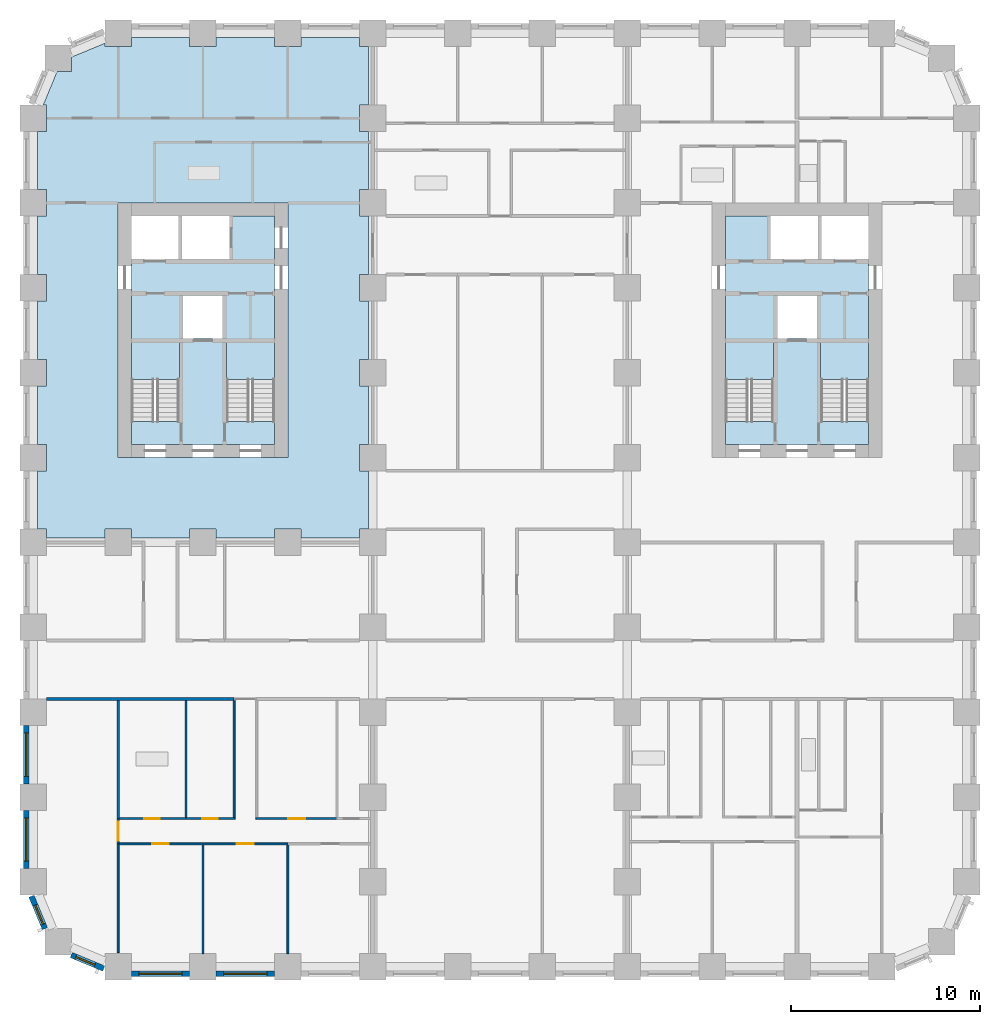
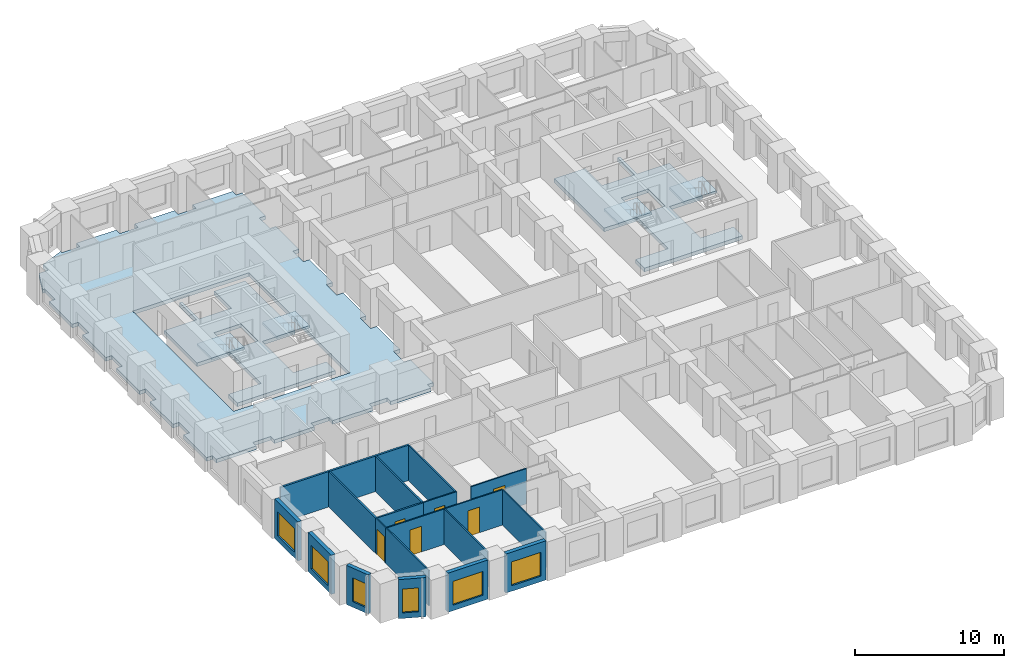
# One storey, part 2 of 13: 19 walls, 7 slabs, 6 doors, 6 windows, 12 openings, 4 elements without a shape of their own.
"""IFC4 building model written with IfcOpenShell, lengths in metres."""

from ifc_helpers import new_model, si_unit, direction, frame, frame_2d, origin, place, context, subcontext, project, spatial, polyline, rectangle, outline, extrude, material, layer, layer_set, type_object, element, fill, aggregate, save


model = new_model("IFC4")

# Units and contexts
model_context = context("Model", 3, precision=1e-05, world=origin(), true_north=direction((0.0, 1.0)))
body_context = subcontext(model_context, "Body", "Model", "MODEL_VIEW")
ifc_project = project(units=[si_unit("LENGTHUNIT", "METRE"), si_unit("AREAUNIT", "SQUARE_METRE"), si_unit("VOLUMEUNIT", "CUBIC_METRE"), si_unit("PLANEANGLEUNIT", "RADIAN"), si_unit("MASSUNIT", "GRAM", prefix="KILO")], contexts=[model_context])

# Site, building, storey
site_placement = place(None, origin())
site = spatial("IfcSite", under=ifc_project, at=site_placement, CompositionType="ELEMENT")
building_placement = place(site_placement, origin())
building = spatial("IfcBuilding", under=site, at=building_placement, Name="Girih Gate Residences", CompositionType="ELEMENT")
storey_placement = place(building_placement, frame((0.0, 0.0, 52.800048828125)))
storey = spatial("IfcBuildingStorey", under=building, at=storey_placement, Name="L13", CompositionType="ELEMENT", Elevation=52.800048828125)

# Slabs
ifc_material_1 = material(Name="Concrete C40/50", Category="concrete")
ifc_layer_1 = layer(ifc_material_1, 0.300048828125)
ifc_layer_set_1 = layer_set([ifc_layer_1], Name="Core floor slab 300")
slab_type_1 = type_object("IfcSlabType", Name="Core floor slab 300", PredefinedType="FLOOR", material=ifc_layer_set_1)
slab_1_placement = place(storey_placement, frame((0.0, 0.0, -0.300048828125)))
element("IfcSlab", 1, at=slab_1_placement, inside=storey, type_object=slab_type_1, Name="L13 W core floor", PredefinedType="FLOOR", context=body_context, shape_type="SweptSolid", body=[
    extrude(outline(polyline([(12.800048828125, 27.699951171875), (5.199951171875, 27.699951171875), (5.199951171875, 28.900634765625), (7.75, 28.900634765625), (7.75, 33.10009765625), (5.199951171875, 33.10009765625), (5.199951171875, 37.5), (7.699951171875, 37.5), (7.699951171875, 39.800048828125), (7.89990234375, 39.800048828125), (7.89990234375, 37.5), (10.39990234375, 37.5), (10.39990234375, 39.800048828125), (12.800048828125, 39.800048828125), (12.800048828125, 33.10009765625), (10.25, 33.10009765625), (10.25, 28.900634765625), (12.800048828125, 28.900634765625), (12.800048828125, 27.699951171875)]), holes=[polyline([(7.949951171875, 33.300048828125), (10.050048828125, 33.300048828125), (10.050048828125, 35.60009765625), (7.949951171875, 35.60009765625), (7.949951171875, 33.300048828125)])]), origin(), (0.0, 0.0, 1.0), 0.300048828125),
])
slab_2_placement = place(storey_placement, frame((0.0, 0.0, -0.300048828125)))
element("IfcSlab", 2, at=slab_2_placement, inside=storey, type_object=slab_type_1, Name="L13 E core floor", PredefinedType="FLOOR", context=body_context, shape_type="SweptSolid", body=[
    extrude(outline(polyline([(44.300048828125, 27.699951171875), (36.699951171875, 27.699951171875), (36.699951171875, 28.900634765625), (39.25, 28.900634765625), (39.25, 33.10009765625), (36.699951171875, 33.10009765625), (36.699951171875, 39.800048828125), (39.10009765625, 39.800048828125), (39.10009765625, 37.5), (41.60009765625, 37.5), (41.60009765625, 39.800048828125), (41.800048828125, 39.800048828125), (41.800048828125, 37.5), (44.300048828125, 37.5), (44.300048828125, 33.10009765625), (41.75, 33.10009765625), (41.75, 28.900634765625), (44.300048828125, 28.900634765625), (44.300048828125, 27.699951171875)]), holes=[polyline([(39.449951171875, 33.300048828125), (41.550048828125, 33.300048828125), (41.550048828125, 35.60009765625), (39.449951171875, 35.60009765625), (39.449951171875, 33.300048828125)])]), origin(), (0.0, 0.0, 1.0), 0.300048828125),
])
ifc_layer_2 = layer(ifc_material_1, 0.300048828125)
ifc_layer_set_2 = layer_set([ifc_layer_2], Name="Floor slab PT 300 Concrete C40/50")
slab_type_2 = type_object("IfcSlabType", Name="Floor slab PT 300 Concrete C40/50", PredefinedType="FLOOR", material=ifc_layer_set_2)
slab_3_placement = place(storey_placement, frame((0.0, 0.0, -0.300048828125)))
element("IfcSlab", 3, at=slab_3_placement, inside=storey, type_object=slab_type_2, Name="Floor slab L13 3", PredefinedType="FLOOR", context=body_context, shape_type="SweptSolid", body=[
    extrude(outline(polyline([(0.22509765625, 26.300048828125), (0.22509765625, 23.199951171875), (0.699951171875, 23.199951171875), (0.699951171875, 22.72509765625), (3.800048828125, 22.72509765625), (3.800048828125, 23.199951171875), (5.199951171875, 23.199951171875), (5.199951171875, 22.72509765625), (8.300048828125, 22.72509765625), (8.300048828125, 23.199951171875), (9.699951171875, 23.199951171875), (9.699951171875, 22.72509765625), (12.800048828125, 22.72509765625), (12.800048828125, 23.199951171875), (14.199951171875, 23.199951171875), (14.199951171875, 22.72509765625), (17.300048828125, 22.72509765625), (17.300048828125, 23.199951171875), (17.77490234375, 23.199951171875), (17.77490234375, 26.300048828125), (17.300048828125, 26.300048828125), (17.300048828125, 27.699951171875), (17.77490234375, 27.699951171875), (17.77490234375, 30.800048828125), (17.300048828125, 30.800048828125), (17.300048828125, 32.199951171875), (17.77490234375, 32.199951171875), (17.77490234375, 35.300048828125), (17.300048828125, 35.300048828125), (17.300048828125, 36.699951171875), (17.77490234375, 36.699951171875), (17.77490234375, 39.800048828125), (17.300048828125, 39.800048828125), (17.300048828125, 41.199951171875), (17.77490234375, 41.199951171875), (17.77490234375, 44.300048828125), (17.300048828125, 44.300048828125), (17.300048828125, 45.699951171875), (17.77490234375, 45.699951171875), (17.77490234375, 48.800048828125), (17.300048828125, 48.800048828125), (17.300048828125, 49.27490234375), (14.199951171875, 49.27490234375), (14.199951171875, 48.800048828125), (12.800048828125, 48.800048828125), (12.800048828125, 49.27490234375), (9.699951171875, 49.27490234375), (9.699951171875, 48.800048828125), (8.300048828125, 48.800048828125), (8.300048828125, 49.27490234375), (5.199951171875, 49.27490234375), (5.199951171875, 48.800048828125), (3.800048828125, 48.800048828125), (3.800048828125, 48.966552734375), (2.01806640625, 48.228271484375), (2.01806640625, 47.48193359375), (1.271728515625, 47.48193359375), (0.533447265625, 45.699951171875), (0.699951171875, 45.699951171875), (0.699951171875, 44.300048828125), (0.22509765625, 44.300048828125), (0.22509765625, 41.199951171875), (0.699951171875, 41.199951171875), (0.699951171875, 39.800048828125), (0.22509765625, 39.800048828125), (0.22509765625, 36.699951171875), (0.699951171875, 36.699951171875), (0.699951171875, 35.300048828125), (0.22509765625, 35.300048828125), (0.22509765625, 32.199951171875), (0.699951171875, 32.199951171875), (0.699951171875, 30.800048828125), (0.22509765625, 30.800048828125), (0.22509765625, 27.699951171875), (0.699951171875, 27.699951171875), (0.699951171875, 26.300048828125), (0.22509765625, 26.300048828125)]), holes=[polyline([(13.5, 40.5), (13.5, 27.0), (4.5, 27.0), (4.5, 40.5), (13.5, 40.5)])]), origin(), (0.0, 0.0, 1.0), 0.300048828125),
])

# Stair, slab
stair_type = type_object("IfcStairType", Name="Exit stair", PredefinedType="HALF_TURN_STAIR", material=ifc_material_1)
stair_1_placement = place(storey_placement, origin())
stair_1 = element("IfcStair", 4, at=stair_1_placement, inside=storey, type_object=stair_type, Name="L13 Exit Stair ST-W1", PredefinedType="HALF_TURN_STAIR")
ifc_layer_3 = layer(ifc_material_1, 0.199951171875)
ifc_layer_set_3 = layer_set([ifc_layer_3], Name="Stair landing 200")
slab_type_3 = type_object("IfcSlabType", Name="Stair landing 200", PredefinedType="LANDING", material=ifc_layer_set_3)
slab_4_placement = place(storey_placement, frame((0.0, 0.0, 1.39990234375)))
slab_4 = element("IfcSlab", 5, at=slab_4_placement, type_object=slab_type_3, Name="ST-W1 landing 1", PredefinedType="LANDING", context=body_context, shape_type="SweptSolid", body=[
    extrude(outline(polyline([(7.75, 31.14990234375), (7.75, 33.10009765625), (5.199951171875, 33.10009765625), (5.199951171875, 31.14990234375), (7.75, 31.14990234375)])), origin(), (0.0, 0.0, 1.0), 0.199951171875),
])
aggregate(stair_1, [slab_4])

stair_2_placement = place(storey_placement, origin())
stair_2 = element("IfcStair", 6, at=stair_2_placement, inside=storey, type_object=stair_type, Name="L13 Exit Stair ST-W2", PredefinedType="HALF_TURN_STAIR")
slab_5_placement = place(storey_placement, frame((0.0, 0.0, 1.39990234375)))
slab_5 = element("IfcSlab", 7, at=slab_5_placement, type_object=slab_type_3, Name="ST-W2 landing 1", PredefinedType="LANDING", context=body_context, shape_type="SweptSolid", body=[
    extrude(outline(polyline([(12.800048828125, 31.14990234375), (12.800048828125, 33.10009765625), (10.25, 33.10009765625), (10.25, 31.14990234375), (12.800048828125, 31.14990234375)])), origin(), (0.0, 0.0, 1.0), 0.199951171875),
])
aggregate(stair_2, [slab_5])

stair_3_placement = place(storey_placement, origin())
stair_3 = element("IfcStair", 8, at=stair_3_placement, inside=storey, type_object=stair_type, Name="L13 Exit Stair ST-E1", PredefinedType="HALF_TURN_STAIR")
slab_6_placement = place(storey_placement, frame((0.0, 0.0, 1.39990234375)))
slab_6 = element("IfcSlab", 9, at=slab_6_placement, type_object=slab_type_3, Name="ST-E1 landing 1", PredefinedType="LANDING", context=body_context, shape_type="SweptSolid", body=[
    extrude(outline(polyline([(44.300048828125, 31.14990234375), (44.300048828125, 33.10009765625), (41.75, 33.10009765625), (41.75, 31.14990234375), (44.300048828125, 31.14990234375)])), origin(), (0.0, 0.0, 1.0), 0.199951171875),
])
aggregate(stair_3, [slab_6])

stair_4_placement = place(storey_placement, origin())
stair_4 = element("IfcStair", 10, at=stair_4_placement, inside=storey, type_object=stair_type, Name="L13 Exit Stair ST-E2", PredefinedType="HALF_TURN_STAIR")
slab_7_placement = place(storey_placement, frame((0.0, 0.0, 1.39990234375)))
slab_7 = element("IfcSlab", 11, at=slab_7_placement, type_object=slab_type_3, Name="ST-E2 landing 1", PredefinedType="LANDING", context=body_context, shape_type="SweptSolid", body=[
    extrude(outline(polyline([(39.25, 31.14990234375), (39.25, 33.10009765625), (36.699951171875, 33.10009765625), (36.699951171875, 31.14990234375), (39.25, 31.14990234375)])), origin(), (0.0, 0.0, 1.0), 0.199951171875),
])
aggregate(stair_4, [slab_7])

# Walls
ifc_material_2 = material(Name="Gypsum board on steel studs", Category="steel")
ifc_layer_4 = layer(ifc_material_2, 0.14990234375)
ifc_layer_set_4 = layer_set([ifc_layer_4], Name="Compartment wall 150 mm")
wall_type_1 = type_object("IfcWallType", Name="Compartment wall 150 mm", PredefinedType="PARTITIONING", material=ifc_layer_set_4)
wall_1_placement = place(storey_placement, frame((0.699951171875, 14.199951171875, 0.0), z_axis=(0.0, 0.0, 1.0), x_axis=(1.0, 0.0, 0.0)))
element("IfcWall", 12, at=wall_1_placement, inside=storey, type_object=wall_type_1, Name="L13 partition", PredefinedType="PARTITIONING", context=body_context, shape_type="SweptSolid", body=[
    extrude(rectangle(XDim=9.949951171875, YDim=0.14990234375, at=frame_2d((4.97509765625, 0.0))), origin(), (0.0, 0.0, 1.0), 2.89990234375),
])
ifc_layer_5 = layer(ifc_material_2, 0.10009765625)
ifc_layer_set_5 = layer_set([ifc_layer_5], Name="Partition 100 mm")
wall_type_2 = type_object("IfcWallType", Name="Partition 100 mm", PredefinedType="PARTITIONING", material=ifc_layer_set_5)
wall_2_placement = place(storey_placement, frame((9.0, 0.699951171875, 0.0), z_axis=(0.0, 0.0, 1.0), x_axis=(0.0, 1.0, 0.0)))
element("IfcWall", 13, at=wall_2_placement, inside=storey, type_object=wall_type_2, Name="L13 partition", PredefinedType="PARTITIONING", context=body_context, shape_type="SweptSolid", body=[
    extrude(rectangle(XDim=5.77001953125, YDim=0.10009765625, at=frame_2d((2.885009765625, 0.0))), origin(), (0.0, 0.0, 1.0), 2.89990234375),
])

# Wall, opening, door
wall_3_placement = place(storey_placement, frame((9.0, 6.52001953125, 0.0), z_axis=(0.0, 0.0, 1.0), x_axis=(-1.0, 0.0, 0.0)))
wall_3 = element("IfcWall", 14, at=wall_3_placement, inside=storey, type_object=wall_type_2, Name="L13 partition", PredefinedType="PARTITIONING", context=body_context, shape_type="SweptSolid", body=[
    extrude(rectangle(XDim=4.449951171875, YDim=0.10009765625, at=frame_2d((2.22509765625, 0.0))), origin(), (0.0, 0.0, 1.0), 2.89990234375),
])
opening_1_placement = place(wall_3_placement, frame((1.800048828125, 0.0, 0.0)))
opening_1 = element("IfcOpeningElement", 15, at=opening_1_placement, cuts=wall_3, Name="Opening A13-002", PredefinedType="OPENING", context=body_context, shape_type="SweptSolid", body=[
    extrude(rectangle(XDim=0.89990234375, YDim=2.10009765625, at=frame_2d((0.449951171875, 1.050048828125))), frame((0.0, 0.06005859375, 0.0), z_axis=(0.0, -1.0, 0.0), x_axis=(1.0, 0.0, 0.0)), (0.0, 0.0, 1.0), 0.1201171875),
])
ifc_material_3 = material(Name="Timber", Category="wood")
door_type_1 = type_object("IfcDoorType", Name="Bedroom door 900x2100", OperationType="NOTDEFINED", PredefinedType="DOOR", material=ifc_material_3)
door_1_placement = place(opening_1_placement, origin())
door_1 = element("IfcDoor", 16, at=door_1_placement, inside=storey, type_object=door_type_1, Name="Door A13-002", OperationType="SINGLE_SWING_RIGHT", OverallHeight=2.10009765625, OverallWidth=0.89990234375, PredefinedType="DOOR", context=body_context, shape_type="SweptSolid", body=[
    extrude(rectangle(XDim=0.89990234375, YDim=2.10009765625, at=frame_2d((0.449951171875, 1.050048828125))), frame((0.0, 0.02490234375, 0.0), z_axis=(0.0, -1.0, 0.0), x_axis=(1.0, 0.0, 0.0)), (0.0, 0.0, 1.0), 0.050048828125),
])
fill(opening_1, door_1)

# Walls
wall_4_placement = place(storey_placement, frame((4.5, 0.757568359375, 0.0), z_axis=(0.0, 0.0, 1.0), x_axis=(0.0, 1.0, 0.0)))
element("IfcWall", 17, at=wall_4_placement, inside=storey, type_object=wall_type_2, Name="L13 partition", PredefinedType="PARTITIONING", context=body_context, shape_type="SweptSolid", body=[
    extrude(rectangle(XDim=5.762451171875, YDim=0.10009765625, at=frame_2d((2.88134765625, 0.0))), origin(), (0.0, 0.0, 1.0), 2.89990234375),
])
wall_5_placement = place(storey_placement, frame((13.5, 0.699951171875, 0.0), z_axis=(0.0, 0.0, 1.0), x_axis=(0.0, 1.0, 0.0)))
element("IfcWall", 18, at=wall_5_placement, inside=storey, type_object=wall_type_2, Name="L13 partition", PredefinedType="PARTITIONING", context=body_context, shape_type="SweptSolid", body=[
    extrude(rectangle(XDim=5.77001953125, YDim=0.10009765625, at=frame_2d((2.885009765625, 0.0))), origin(), (0.0, 0.0, 1.0), 2.89990234375),
])

# Wall, opening, door
wall_6_placement = place(storey_placement, frame((13.5, 6.52001953125, 0.0), z_axis=(0.0, 0.0, 1.0), x_axis=(-1.0, 0.0, 0.0)))
wall_6 = element("IfcWall", 19, at=wall_6_placement, inside=storey, type_object=wall_type_2, Name="L13 partition", PredefinedType="PARTITIONING", context=body_context, shape_type="SweptSolid", body=[
    extrude(rectangle(XDim=4.5, YDim=0.10009765625, at=frame_2d((2.25, 0.0))), origin(), (0.0, 0.0, 1.0), 2.89990234375),
])
opening_2_placement = place(wall_6_placement, frame((1.800048828125, 0.0, 0.0)))
opening_2 = element("IfcOpeningElement", 20, at=opening_2_placement, cuts=wall_6, Name="Opening A13-003", PredefinedType="OPENING", context=body_context, shape_type="SweptSolid", body=[
    extrude(rectangle(XDim=0.89990234375, YDim=2.10009765625, at=frame_2d((0.449951171875, 1.050048828125))), frame((0.0, 0.06005859375, 0.0), z_axis=(0.0, -1.0, 0.0), x_axis=(1.0, 0.0, 0.0)), (0.0, 0.0, 1.0), 0.1201171875),
])
door_2_placement = place(opening_2_placement, origin())
door_2 = element("IfcDoor", 21, at=door_2_placement, inside=storey, type_object=door_type_1, Name="Door A13-003", OperationType="SINGLE_SWING_LEFT", OverallHeight=2.10009765625, OverallWidth=0.89990234375, PredefinedType="DOOR", context=body_context, shape_type="SweptSolid", body=[
    extrude(rectangle(XDim=0.89990234375, YDim=2.10009765625, at=frame_2d((0.449951171875, 1.050048828125))), frame((0.0, 0.02490234375, 0.0), z_axis=(0.0, -1.0, 0.0), x_axis=(1.0, 0.0, 0.0)), (0.0, 0.0, 1.0), 0.050048828125),
])
fill(opening_2, door_2)

wall_7_placement = place(storey_placement, frame((11.800048828125, 7.860107421875, 0.0), z_axis=(0.0, 0.0, 1.0), x_axis=(1.0, 0.0, 0.0)))
wall_7 = element("IfcWall", 22, at=wall_7_placement, inside=storey, type_object=wall_type_2, Name="L13 partition", PredefinedType="PARTITIONING", context=body_context, shape_type="SweptSolid", body=[
    extrude(rectangle(XDim=4.307373046875, YDim=0.10009765625, at=frame_2d((2.15380859375, 0.0))), origin(), (0.0, 0.0, 1.0), 2.89990234375),
])
opening_3_placement = place(wall_7_placement, frame((1.728759765625, 0.0, 0.0)))
opening_3 = element("IfcOpeningElement", 23, at=opening_3_placement, cuts=wall_7, Name="Opening A13-005", PredefinedType="OPENING", context=body_context, shape_type="SweptSolid", body=[
    extrude(rectangle(XDim=0.89990234375, YDim=2.10009765625, at=frame_2d((0.449951171875, 1.050048828125))), frame((0.0, 0.06005859375, 0.0), z_axis=(0.0, -1.0, 0.0), x_axis=(1.0, 0.0, 0.0)), (0.0, 0.0, 1.0), 0.1201171875),
])
door_type_2 = type_object("IfcDoorType", Name="Kitchen door 900x2100", OperationType="NOTDEFINED", PredefinedType="DOOR", material=ifc_material_3)
door_3_placement = place(opening_3_placement, origin())
door_3 = element("IfcDoor", 24, at=door_3_placement, inside=storey, type_object=door_type_2, Name="Door A13-005", OperationType="SINGLE_SWING_RIGHT", OverallHeight=2.10009765625, OverallWidth=0.89990234375, PredefinedType="DOOR", context=body_context, shape_type="SweptSolid", body=[
    extrude(rectangle(XDim=0.89990234375, YDim=2.10009765625, at=frame_2d((0.449951171875, 1.050048828125))), frame((0.0, 0.02490234375, 0.0), z_axis=(0.0, -1.0, 0.0), x_axis=(1.0, 0.0, 0.0)), (0.0, 0.0, 1.0), 0.050048828125),
])
fill(opening_3, door_3)

wall_8_placement = place(storey_placement, frame((4.5, 6.52001953125, 0.0), z_axis=(0.0, 0.0, 1.0), x_axis=(0.0, 1.0, 0.0)))
wall_8 = element("IfcWall", 25, at=wall_8_placement, inside=storey, type_object=wall_type_2, Name="L13 partition", PredefinedType="PARTITIONING", context=body_context, shape_type="SweptSolid", body=[
    extrude(rectangle(XDim=1.340087890625, YDim=0.10009765625, at=frame_2d((0.669921875, 0.0))), origin(), (0.0, 0.0, 1.0), 2.89990234375),
])
opening_4_placement = place(wall_8_placement, frame((0.169921875, 0.0, 0.0)))
opening_4 = element("IfcOpeningElement", 26, at=opening_4_placement, cuts=wall_8, Name="Opening A13-006", PredefinedType="OPENING", context=body_context, shape_type="SweptSolid", body=[
    extrude(rectangle(XDim=1.0, YDim=2.10009765625, at=frame_2d((0.5, 1.050048828125))), frame((0.0, 0.06005859375, 0.0), z_axis=(0.0, -1.0, 0.0), x_axis=(1.0, 0.0, 0.0)), (0.0, 0.0, 1.0), 0.1201171875),
])
door_type_3 = type_object("IfcDoorType", Name="Living room door 1000x2100", OperationType="NOTDEFINED", PredefinedType="DOOR", material=ifc_material_3)
door_4_placement = place(opening_4_placement, origin())
door_4 = element("IfcDoor", 27, at=door_4_placement, inside=storey, type_object=door_type_3, Name="Door A13-006", OperationType="SINGLE_SWING_RIGHT", OverallHeight=2.10009765625, OverallWidth=1.0, PredefinedType="DOOR", context=body_context, shape_type="SweptSolid", body=[
    extrude(rectangle(XDim=1.0, YDim=2.10009765625, at=frame_2d((0.5, 1.050048828125))), frame((0.0, 0.02490234375, 0.0), z_axis=(0.0, -1.0, 0.0), x_axis=(1.0, 0.0, 0.0)), (0.0, 0.0, 1.0), 0.050048828125),
])
fill(opening_4, door_4)

wall_9_placement = place(storey_placement, frame((8.0986328125, 7.860107421875, 0.0), z_axis=(0.0, 0.0, 1.0), x_axis=(1.0, 0.0, 0.0)))
wall_9 = element("IfcWall", 28, at=wall_9_placement, inside=storey, type_object=wall_type_2, Name="L13 partition", PredefinedType="PARTITIONING", context=body_context, shape_type="SweptSolid", body=[
    extrude(rectangle(XDim=2.601318359375, YDim=0.10009765625, at=frame_2d((1.30078125, 0.0))), origin(), (0.0, 0.0, 1.0), 2.89990234375),
])
opening_5_placement = place(wall_9_placement, frame((0.875732421875, 0.0, 0.0)))
opening_5 = element("IfcOpeningElement", 29, at=opening_5_placement, cuts=wall_9, Name="Opening A13-008", PredefinedType="OPENING", context=body_context, shape_type="SweptSolid", body=[
    extrude(rectangle(XDim=0.800048828125, YDim=2.10009765625, at=frame_2d((0.39990234375, 1.050048828125))), frame((0.0, 0.06005859375, 0.0), z_axis=(0.0, -1.0, 0.0), x_axis=(1.0, 0.0, 0.0)), (0.0, 0.0, 1.0), 0.1201171875),
])
door_type_4 = type_object("IfcDoorType", Name="Store door 800x2100", OperationType="NOTDEFINED", PredefinedType="DOOR", material=ifc_material_3)
door_5_placement = place(opening_5_placement, origin())
door_5 = element("IfcDoor", 30, at=door_5_placement, inside=storey, type_object=door_type_4, Name="Door A13-008", OperationType="SINGLE_SWING_LEFT", OverallHeight=2.10009765625, OverallWidth=0.800048828125, PredefinedType="DOOR", context=body_context, shape_type="SweptSolid", body=[
    extrude(rectangle(XDim=0.800048828125, YDim=2.10009765625, at=frame_2d((0.39990234375, 1.050048828125))), frame((0.0, 0.02490234375, 0.0), z_axis=(0.0, -1.0, 0.0), x_axis=(1.0, 0.0, 0.0)), (0.0, 0.0, 1.0), 0.050048828125),
])
fill(opening_5, door_5)

# Wall
wall_10_placement = place(storey_placement, frame((10.64990234375, 7.909912109375, 0.0), z_axis=(0.0, 0.0, 1.0), x_axis=(0.0, 1.0, 0.0)))
element("IfcWall", 31, at=wall_10_placement, inside=storey, type_object=wall_type_2, Name="L13 partition", PredefinedType="PARTITIONING", context=body_context, shape_type="SweptSolid", body=[
    extrude(rectangle(XDim=6.215087890625, YDim=0.10009765625, at=frame_2d((3.107421875, 0.0))), origin(), (0.0, 0.0, 1.0), 2.89990234375),
])

# Wall, opening, window
ifc_material_4 = material(Name="Precast concrete C50/60", Category="concrete")
ifc_layer_6 = layer(ifc_material_4, 0.080078125, Name="Outer leaf")
ifc_material_5 = material(Name="Rigid PIR insulation")
ifc_layer_7 = layer(ifc_material_5, 0.14990234375, Name="Insulation")
ifc_material_6 = material(Name="Precast concrete C40/50", Category="concrete")
ifc_layer_8 = layer(ifc_material_6, 0.070068359375, Name="Inner leaf")
ifc_layer_set_6 = layer_set([ifc_layer_6, ifc_layer_7, ifc_layer_8], Name="Precast concrete C50/60 external wall 300")
wall_type_3 = type_object("IfcWallType", Name="Precast concrete C50/60 external wall 300", PredefinedType="SOLIDWALL", material=ifc_layer_set_6)
wall_11_placement = place(storey_placement, frame((0.62158203125, 2.01953125, 0.0), z_axis=(0.0, 0.0, 1.0), x_axis=(-0.38262540684, 0.923903565336, 0.0)))
wall_11 = element("IfcWall", 32, at=wall_11_placement, inside=storey, type_object=wall_type_3, Name="External wall SW0000_0045.0", PredefinedType="SOLIDWALL", context=body_context, shape_type="SweptSolid", body=[
    extrude(rectangle(XDim=1.864990234375, YDim=0.300048828125, at=frame_2d((0.9326171875, 0.0))), origin(), (0.0, 0.0, 1.0), 3.199951171875),
])
opening_6_placement = place(wall_11_placement, frame((0.257568359375, 0.0, 0.449951171875)))
opening_6 = element("IfcOpeningElement", 33, at=opening_6_placement, cuts=wall_11, Name="Opening W-2C", PredefinedType="OPENING", context=body_context, shape_type="SweptSolid", body=[
    extrude(rectangle(XDim=1.10009765625, YDim=1.949951171875, at=frame_2d((0.550048828125, 0.97509765625))), frame((0.0, 0.159912109375, 0.0), z_axis=(0.0, -1.0, 0.0), x_axis=(1.0, 0.0, 0.0)), (0.0, 0.0, 1.0), 0.320068359375),
])
ifc_material_7 = material(Name="Double glazing in aluminium frame", Category="aluminium")
window_type_1 = type_object("IfcWindowType", Name="Window W-2C 1100x1950", PartitioningType="SINGLE_PANEL", PredefinedType="WINDOW", material=ifc_material_7)
window_1_placement = place(opening_6_placement, origin())
window_1 = element("IfcWindow", 34, at=window_1_placement, inside=storey, type_object=window_type_1, Name="Window W-2C SW0000_0045.0", OverallHeight=1.949951171875, OverallWidth=1.10009765625, PartitioningType="SINGLE_PANEL", PredefinedType="WINDOW", context=body_context, shape_type="SweptSolid", body=[
    extrude(rectangle(XDim=1.10009765625, YDim=1.949951171875, at=frame_2d((0.550048828125, 0.97509765625))), frame((0.0, 0.030029296875, 0.0), z_axis=(0.0, -1.0, 0.0), x_axis=(1.0, 0.0, 0.0)), (0.0, 0.0, 1.0), 0.06005859375),
])
fill(opening_6, window_1)

wall_12_placement = place(storey_placement, frame((3.74267578125, -0.09228515625, 0.0), z_axis=(0.0, 0.0, 1.0), x_axis=(-0.923857286003, 0.382737135771, 0.0)))
wall_12 = element("IfcWall", 35, at=wall_12_placement, inside=storey, type_object=wall_type_3, Name="External wall SW0013_0013.0", PredefinedType="SOLIDWALL", context=body_context, shape_type="SweptSolid", body=[
    extrude(rectangle(XDim=1.865234375, YDim=0.300048828125, at=frame_2d((0.9326171875, 0.0))), origin(), (0.0, 0.0, 1.0), 3.199951171875),
])
opening_7_placement = place(wall_12_placement, frame((0.507568359375, 0.0, 0.449951171875)))
opening_7 = element("IfcOpeningElement", 36, at=opening_7_placement, cuts=wall_12, Name="Opening W-2C", PredefinedType="OPENING", context=body_context, shape_type="SweptSolid", body=[
    extrude(rectangle(XDim=1.10009765625, YDim=1.949951171875, at=frame_2d((0.550048828125, 0.97509765625))), frame((0.0, 0.159912109375, 0.0), z_axis=(0.0, -1.0, 0.0), x_axis=(1.0, 0.0, 0.0)), (0.0, 0.0, 1.0), 0.320068359375),
])
window_2_placement = place(opening_7_placement, origin())
window_2 = element("IfcWindow", 37, at=window_2_placement, inside=storey, type_object=window_type_1, Name="Window W-2C SW0013_0013.0", OverallHeight=1.949951171875, OverallWidth=1.10009765625, PartitioningType="SINGLE_PANEL", PredefinedType="WINDOW", context=body_context, shape_type="SweptSolid", body=[
    extrude(rectangle(XDim=1.10009765625, YDim=1.949951171875, at=frame_2d((0.550048828125, 0.97509765625))), frame((0.0, 0.030029296875, 0.0), z_axis=(0.0, -1.0, 0.0), x_axis=(1.0, 0.0, 0.0)), (0.0, 0.0, 1.0), 0.06005859375),
])
fill(opening_7, window_2)

wall_13_placement = place(storey_placement, frame((8.300048828125, -0.375, 0.0), z_axis=(0.0, 0.0, 1.0), x_axis=(-1.0, 0.0, 0.0)))
wall_13 = element("IfcWall", 38, at=wall_13_placement, inside=storey, type_object=wall_type_3, Name="External wall S0045_0000.0", PredefinedType="SOLIDWALL", context=body_context, shape_type="SweptSolid", body=[
    extrude(rectangle(XDim=3.10009765625, YDim=0.300048828125, at=frame_2d((1.550048828125, 0.0))), origin(), (0.0, 0.0, 1.0), 3.199951171875),
])
opening_8_placement = place(wall_13_placement, frame((0.39990234375, 0.0, 0.449951171875)))
opening_8 = element("IfcOpeningElement", 39, at=opening_8_placement, cuts=wall_13, Name="Opening W-1", PredefinedType="OPENING", context=body_context, shape_type="SweptSolid", body=[
    extrude(rectangle(XDim=2.300048828125, YDim=1.949951171875, at=frame_2d((1.14990234375, 0.97509765625))), frame((0.0, 0.159912109375, 0.0), z_axis=(0.0, -1.0, 0.0), x_axis=(1.0, 0.0, 0.0)), (0.0, 0.0, 1.0), 0.320068359375),
])
window_type_2 = type_object("IfcWindowType", Name="Window W-1 2300x1950", PartitioningType="SINGLE_PANEL", PredefinedType="WINDOW", material=ifc_material_7)
window_3_placement = place(opening_8_placement, origin())
window_3 = element("IfcWindow", 40, at=window_3_placement, inside=storey, type_object=window_type_2, Name="Window W-1 S0045_0000.0", OverallHeight=1.949951171875, OverallWidth=2.300048828125, PartitioningType="SINGLE_PANEL", PredefinedType="WINDOW", context=body_context, shape_type="SweptSolid", body=[
    extrude(rectangle(XDim=2.300048828125, YDim=1.949951171875, at=frame_2d((1.14990234375, 0.97509765625))), frame((0.0, 0.030029296875, 0.0), z_axis=(0.0, -1.0, 0.0), x_axis=(1.0, 0.0, 0.0)), (0.0, 0.0, 1.0), 0.06005859375),
])
fill(opening_8, window_3)

wall_14_placement = place(storey_placement, frame((12.800048828125, -0.375, 0.0), z_axis=(0.0, 0.0, 1.0), x_axis=(-1.0, 0.0, 0.0)))
wall_14 = element("IfcWall", 41, at=wall_14_placement, inside=storey, type_object=wall_type_3, Name="External wall S0045_0000.1", PredefinedType="SOLIDWALL", context=body_context, shape_type="SweptSolid", body=[
    extrude(rectangle(XDim=3.10009765625, YDim=0.300048828125, at=frame_2d((1.550048828125, 0.0))), origin(), (0.0, 0.0, 1.0), 3.199951171875),
])
opening_9_placement = place(wall_14_placement, frame((0.39990234375, 0.0, 0.449951171875)))
opening_9 = element("IfcOpeningElement", 42, at=opening_9_placement, cuts=wall_14, Name="Opening W-1", PredefinedType="OPENING", context=body_context, shape_type="SweptSolid", body=[
    extrude(rectangle(XDim=2.300048828125, YDim=1.949951171875, at=frame_2d((1.14990234375, 0.97509765625))), frame((0.0, 0.159912109375, 0.0), z_axis=(0.0, -1.0, 0.0), x_axis=(1.0, 0.0, 0.0)), (0.0, 0.0, 1.0), 0.320068359375),
])
window_4_placement = place(opening_9_placement, origin())
window_4 = element("IfcWindow", 43, at=window_4_placement, inside=storey, type_object=window_type_2, Name="Window W-1 S0045_0000.1", OverallHeight=1.949951171875, OverallWidth=2.300048828125, PartitioningType="SINGLE_PANEL", PredefinedType="WINDOW", context=body_context, shape_type="SweptSolid", body=[
    extrude(rectangle(XDim=2.300048828125, YDim=1.949951171875, at=frame_2d((1.14990234375, 0.97509765625))), frame((0.0, 0.030029296875, 0.0), z_axis=(0.0, -1.0, 0.0), x_axis=(1.0, 0.0, 0.0)), (0.0, 0.0, 1.0), 0.06005859375),
])
fill(opening_9, window_4)

wall_15_placement = place(storey_placement, frame((-0.375, 9.699951171875, 0.0), z_axis=(0.0, 0.0, 1.0), x_axis=(0.0, 1.0, 0.0)))
wall_15 = element("IfcWall", 44, at=wall_15_placement, inside=storey, type_object=wall_type_3, Name="External wall W0000_0450.7", PredefinedType="SOLIDWALL", context=body_context, shape_type="SweptSolid", body=[
    extrude(rectangle(XDim=3.10009765625, YDim=0.300048828125, at=frame_2d((1.550048828125, 0.0))), origin(), (0.0, 0.0, 1.0), 3.199951171875),
])
opening_10_placement = place(wall_15_placement, frame((0.39990234375, 0.0, 0.449951171875)))
opening_10 = element("IfcOpeningElement", 45, at=opening_10_placement, cuts=wall_15, Name="Opening W-1", PredefinedType="OPENING", context=body_context, shape_type="SweptSolid", body=[
    extrude(rectangle(XDim=2.300048828125, YDim=1.949951171875, at=frame_2d((1.14990234375, 0.97509765625))), frame((0.0, 0.159912109375, 0.0), z_axis=(0.0, -1.0, 0.0), x_axis=(1.0, 0.0, 0.0)), (0.0, 0.0, 1.0), 0.320068359375),
])
window_5_placement = place(opening_10_placement, origin())
window_5 = element("IfcWindow", 46, at=window_5_placement, inside=storey, type_object=window_type_2, Name="Window W-1 W0000_0450.7", OverallHeight=1.949951171875, OverallWidth=2.300048828125, PartitioningType="SINGLE_PANEL", PredefinedType="WINDOW", context=body_context, shape_type="SweptSolid", body=[
    extrude(rectangle(XDim=2.300048828125, YDim=1.949951171875, at=frame_2d((1.14990234375, 0.97509765625))), frame((0.0, 0.030029296875, 0.0), z_axis=(0.0, -1.0, 0.0), x_axis=(1.0, 0.0, 0.0)), (0.0, 0.0, 1.0), 0.06005859375),
])
fill(opening_10, window_5)

wall_16_placement = place(storey_placement, frame((-0.375, 5.199951171875, 0.0), z_axis=(0.0, 0.0, 1.0), x_axis=(0.0, 1.0, 0.0)))
wall_16 = element("IfcWall", 47, at=wall_16_placement, inside=storey, type_object=wall_type_3, Name="External wall W0000_0450.8", PredefinedType="SOLIDWALL", context=body_context, shape_type="SweptSolid", body=[
    extrude(rectangle(XDim=3.10009765625, YDim=0.300048828125, at=frame_2d((1.550048828125, 0.0))), origin(), (0.0, 0.0, 1.0), 3.199951171875),
])
opening_11_placement = place(wall_16_placement, frame((0.39990234375, 0.0, 0.449951171875)))
opening_11 = element("IfcOpeningElement", 48, at=opening_11_placement, cuts=wall_16, Name="Opening W-1", PredefinedType="OPENING", context=body_context, shape_type="SweptSolid", body=[
    extrude(rectangle(XDim=2.300048828125, YDim=1.949951171875, at=frame_2d((1.14990234375, 0.97509765625))), frame((0.0, 0.159912109375, 0.0), z_axis=(0.0, -1.0, 0.0), x_axis=(1.0, 0.0, 0.0)), (0.0, 0.0, 1.0), 0.320068359375),
])
window_6_placement = place(opening_11_placement, origin())
window_6 = element("IfcWindow", 49, at=window_6_placement, inside=storey, type_object=window_type_2, Name="Window W-1 W0000_0450.8", OverallHeight=1.949951171875, OverallWidth=2.300048828125, PartitioningType="SINGLE_PANEL", PredefinedType="WINDOW", context=body_context, shape_type="SweptSolid", body=[
    extrude(rectangle(XDim=2.300048828125, YDim=1.949951171875, at=frame_2d((1.14990234375, 0.97509765625))), frame((0.0, 0.030029296875, 0.0), z_axis=(0.0, -1.0, 0.0), x_axis=(1.0, 0.0, 0.0)), (0.0, 0.0, 1.0), 0.06005859375),
])
fill(opening_11, window_6)

# Wall, opening, door
ifc_layer_9 = layer(ifc_material_2, 0.125)
ifc_layer_set_7 = layer_set([ifc_layer_9], Name="Wet room wall 125 mm")
wall_type_4 = type_object("IfcWallType", Name="Wet room wall 125 mm", PredefinedType="PARTITIONING", material=ifc_layer_set_7)
wall_17_placement = place(storey_placement, frame((4.5625, 7.860107421875, 0.0), z_axis=(0.0, 0.0, 1.0), x_axis=(1.0, 0.0, 0.0)))
wall_17 = element("IfcWall", 50, at=wall_17_placement, inside=storey, type_object=wall_type_4, Name="L13 partition", PredefinedType="PARTITIONING", context=body_context, shape_type="SweptSolid", body=[
    extrude(rectangle(XDim=3.5361328125, YDim=0.125, at=frame_2d((1.76806640625, 0.0))), origin(), (0.0, 0.0, 1.0), 2.89990234375),
])
opening_12_placement = place(wall_17_placement, frame((1.3369140625, 0.0, 0.0)))
opening_12 = element("IfcOpeningElement", 51, at=opening_12_placement, cuts=wall_17, Name="Opening A13-001", PredefinedType="OPENING", context=body_context, shape_type="SweptSolid", body=[
    extrude(rectangle(XDim=0.800048828125, YDim=2.10009765625, at=frame_2d((0.39990234375, 1.050048828125))), frame((0.0, 0.072509765625, 0.0), z_axis=(0.0, -1.0, 0.0), x_axis=(1.0, 0.0, 0.0)), (0.0, 0.0, 1.0), 0.14501953125),
])
door_type_5 = type_object("IfcDoorType", Name="Bathroom door 800x2100", OperationType="NOTDEFINED", PredefinedType="DOOR", material=ifc_material_3)
door_6_placement = place(opening_12_placement, origin())
door_6 = element("IfcDoor", 52, at=door_6_placement, inside=storey, type_object=door_type_5, Name="Door A13-001", OperationType="SINGLE_SWING_LEFT", OverallHeight=2.10009765625, OverallWidth=0.800048828125, PredefinedType="DOOR", context=body_context, shape_type="SweptSolid", body=[
    extrude(rectangle(XDim=0.800048828125, YDim=2.10009765625, at=frame_2d((0.39990234375, 1.050048828125))), frame((0.0, 0.02490234375, 0.0), z_axis=(0.0, -1.0, 0.0), x_axis=(1.0, 0.0, 0.0)), (0.0, 0.0, 1.0), 0.050048828125),
])
fill(opening_12, door_6)

# Walls
wall_18_placement = place(storey_placement, frame((4.5, 7.860107421875, 0.0), z_axis=(0.0, 0.0, 1.0), x_axis=(0.0, 1.0, 0.0)))
element("IfcWall", 53, at=wall_18_placement, inside=storey, type_object=wall_type_4, Name="L13 partition", PredefinedType="PARTITIONING", context=body_context, shape_type="SweptSolid", body=[
    extrude(rectangle(XDim=6.264892578125, YDim=0.125, at=frame_2d((3.13232421875, 0.0))), origin(), (0.0, 0.0, 1.0), 2.89990234375),
])
wall_19_placement = place(storey_placement, frame((8.09912109375, 7.922607421875, 0.0), z_axis=(0.0, 0.0, 1.0), x_axis=(0.0, 1.0, 0.0)))
element("IfcWall", 54, at=wall_19_placement, inside=storey, type_object=wall_type_4, Name="L13 partition", PredefinedType="PARTITIONING", context=body_context, shape_type="SweptSolid", body=[
    extrude(rectangle(XDim=6.202392578125, YDim=0.125, at=frame_2d((3.10107421875, 0.0))), origin(), (0.0, 0.0, 1.0), 2.89990234375),
])

save(model, "model.ifc")
